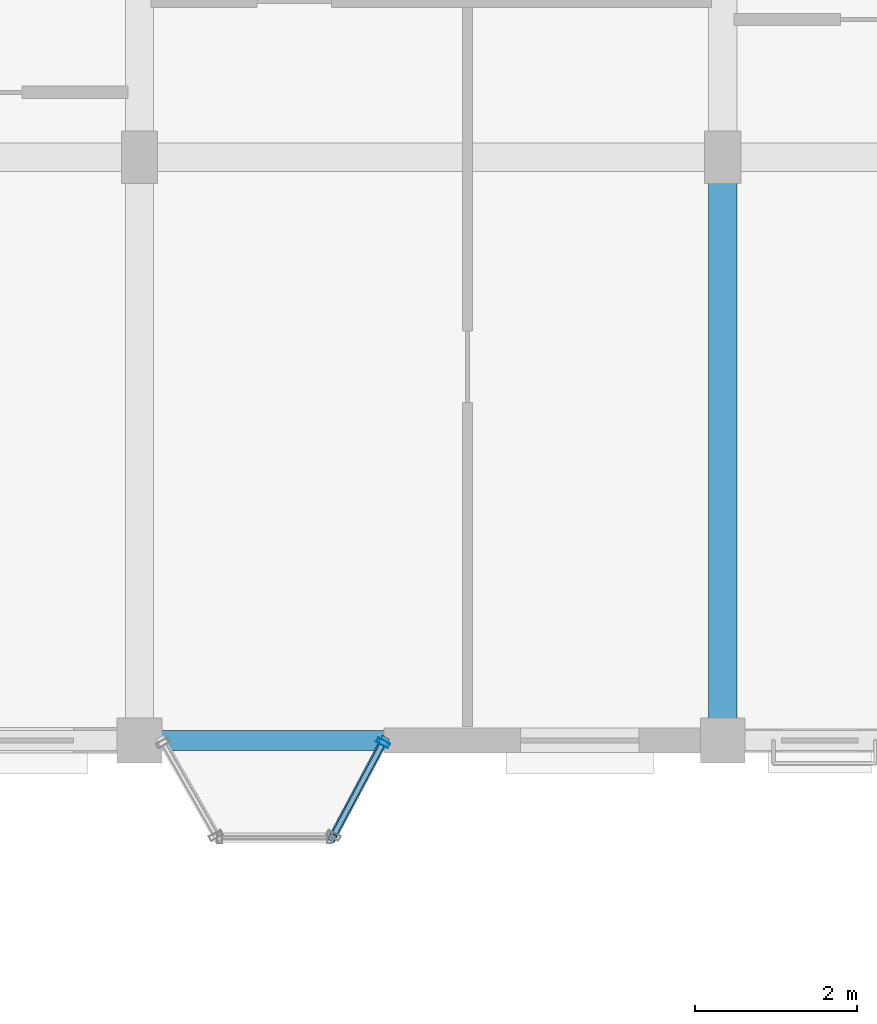
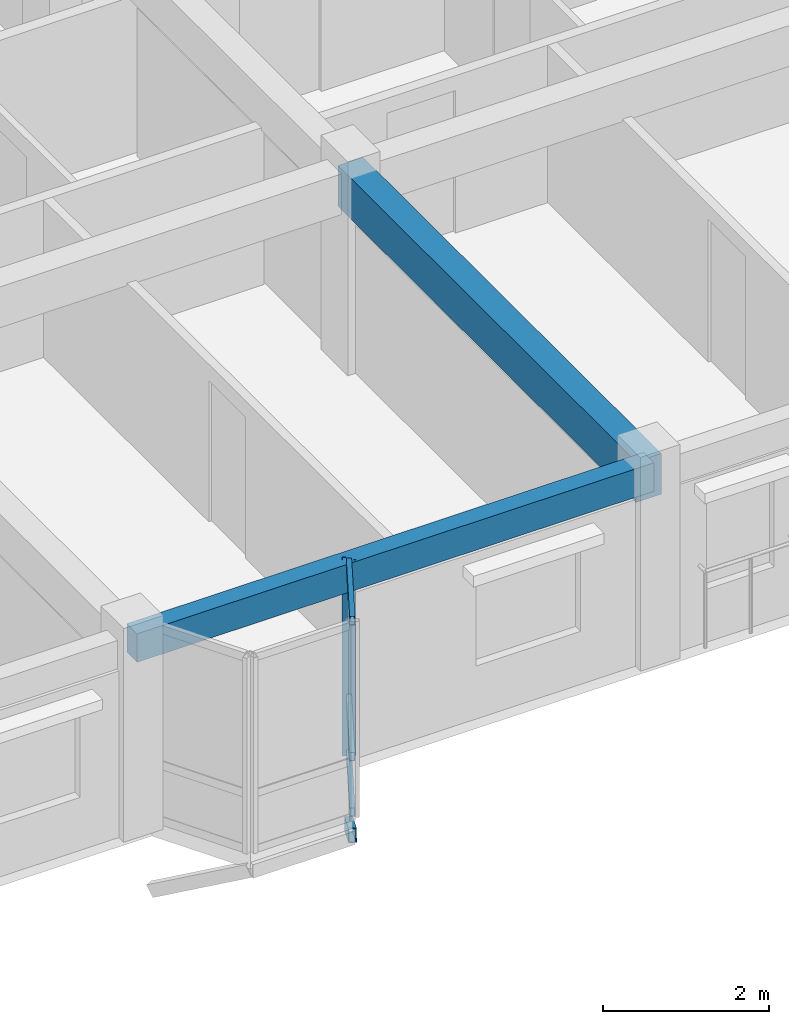
# One storey, part 34 of 75: 5 members, 2 beams, 1 element without a shape of its own.
"""IFC4 building model written with IfcOpenShell, lengths in metres."""

from ifc_helpers import new_model, si_unit, direction, frame, origin, origin_2d, place, context, subcontext, project, spatial, rectangle, hollow_rectangle, extrude, material, layer, layer_set, material_profile, profile_set, type_object, element, aggregate, save


model = new_model("IFC4")

# Units and contexts
model_context = context("Model", 3, precision=1e-05, world=origin(), true_north=direction((0.0, 1.0)))
body_context = subcontext(model_context, "Body", "Model", "MODEL_VIEW")
ifc_project = project(units=[si_unit("LENGTHUNIT", "METRE"), si_unit("AREAUNIT", "SQUARE_METRE"), si_unit("VOLUMEUNIT", "CUBIC_METRE"), si_unit("PLANEANGLEUNIT", "RADIAN"), si_unit("MASSUNIT", "GRAM", prefix="KILO"), si_unit("THERMODYNAMICTEMPERATUREUNIT", "KELVIN"), si_unit("POWERUNIT", "WATT")], contexts=[model_context])

# Site, building, storey
site_placement = place(None, origin())
site = spatial("IfcSite", under=ifc_project, at=site_placement, CompositionType="ELEMENT")
building_placement = place(site_placement, origin())
building = spatial("IfcBuilding", under=site, at=building_placement, Name="Tavuni Mirador Residences", CompositionType="ELEMENT")
storey_placement = place(building_placement, frame((0.0, 0.0, 20.25)))
storey = spatial("IfcBuildingStorey", under=building, at=storey_placement, Name="L06", CompositionType="ELEMENT", Elevation=20.25)

# Beams
ifc_material_1 = material(Name="Precast concrete C40/50", Category="concrete")
ifc_material_profile_1 = material_profile(ifc_material_1, rectangle(XDim=0.35009765625, YDim=0.60009765625, at=origin_2d()), Name="PC 350x600", Category="concrete")
ifc_profile_set_1 = profile_set([ifc_material_profile_1], Name="Precast concrete C40/50")
beam_type_1 = type_object("IfcBeamType", Name="BT-B600", PredefinedType="BEAM", material=ifc_profile_set_1)
beam_1_placement = place(storey_placement, frame((39.60009765625, 144.0, 2.5849609375), z_axis=(0.0, 1.0, 0.0), x_axis=(-1.0, 0.0, 0.0)))
element("IfcBeam", 1, at=beam_1_placement, inside=storey, type_object=beam_type_1, Name="BMY-BLK-C-L06-04-00", PredefinedType="BEAM", context=body_context, shape_type="SweptSolid", body=[
    extrude(rectangle(XDim=0.35009765625, YDim=0.60009765625, at=origin_2d()), origin(), (0.0, 0.0, 1.0), 7.199951171875),
])
ifc_material_profile_2 = material_profile(ifc_material_1, rectangle(XDim=0.25, YDim=0.419921875, at=origin_2d()), Name="PC 250x420", Category="concrete")
ifc_profile_set_2 = profile_set([ifc_material_profile_2], Name="Precast concrete C40/50")
beam_type_2 = type_object("IfcBeamType", Name="BT-SP420", PredefinedType="SPANDREL", material=ifc_profile_set_2)
beam_2_placement = place(storey_placement, frame((32.39990234375, 144.0, 2.675048828125), z_axis=(1.0, 0.0, 0.0), x_axis=(0.0, 1.0, 0.0)))
element("IfcBeam", 2, at=beam_2_placement, inside=storey, type_object=beam_type_2, Name="BMX-BLK-C-L06-03-00", PredefinedType="SPANDREL", context=body_context, shape_type="SweptSolid", body=[
    extrude(rectangle(XDim=0.25, YDim=0.419921875, at=origin_2d()), origin(), (0.0, 0.0, 1.0), 7.2001953125),
])

# Curtain wall, members
ifc_material_2 = material(Name="Anodised aluminium", Category="aluminium")
ifc_layer = layer(ifc_material_2, 0.14990234375, Name="Anodised aluminium", Category="aluminium")
ifc_layer_set = layer_set([ifc_layer], Name="Anodised aluminium")
curtain_wall_type = type_object("IfcCurtainWallType", Name="CWT-MIR-B", PredefinedType="NOTDEFINED", material=ifc_layer_set)
curtain_wall_placement = place(storey_placement, origin())
curtain_wall = element("IfcCurtainWall", 3, at=curtain_wall_placement, inside=storey, type_object=curtain_wall_type, Name="CW-MIR-C-S2-L06-M2", PredefinedType="NOTDEFINED")
ifc_material_profile_3 = material_profile(ifc_material_2, hollow_rectangle(XDim=0.06494140625, YDim=0.1650390625, WallThickness=0.00439453125, at=origin_2d()), Name="ALU 65x165x4.5", Category="aluminium")
ifc_profile_set_3 = profile_set([ifc_material_profile_3], Name="Anodised aluminium")
member_type_1 = type_object("IfcMemberType", Name="CWM-165", PredefinedType="MULLION", material=ifc_profile_set_3)
member_1_placement = place(storey_placement, frame((35.40478515625, 143.971435546875, 0.0), z_axis=(0.0, 0.0, 1.0), x_axis=(0.470588235296, 0.882352941175, 0.0)))
member_1 = element("IfcMember", 4, at=member_1_placement, type_object=member_type_1, Name="CW-02 mullion 2", PredefinedType="MULLION", context=body_context, shape_type="SweptSolid", body=[
    extrude(hollow_rectangle(XDim=0.06494140625, YDim=0.1650390625, WallThickness=0.00439453125, at=origin_2d()), origin(), (0.0, 0.0, 1.0), 2.885009765625),
])
ifc_material_profile_4 = material_profile(ifc_material_2, hollow_rectangle(XDim=0.06494140625, YDim=0.125, WallThickness=0.00439453125, at=origin_2d()), Name="ALU 65x125x4.5", Category="aluminium")
ifc_profile_set_4 = profile_set([ifc_material_profile_4], Name="Anodised aluminium")
member_type_2 = type_object("IfcMemberType", Name="CWT-125", PredefinedType="USERDEFINED", material=ifc_profile_set_4)
member_2_placement = place(storey_placement, frame((34.810546875, 142.857421875, 0.032470703125), z_axis=(0.470639747922, 0.882325465843, 0.0), x_axis=(-0.882325465843, 0.470639747922, 0.0)))
member_2 = element("IfcMember", 5, at=member_2_placement, type_object=member_type_2, Name="CW-02 transom 1.1", ObjectType="TRANSOM", PredefinedType="USERDEFINED", context=body_context, shape_type="SweptSolid", body=[
    extrude(hollow_rectangle(XDim=0.06494140625, YDim=0.125, WallThickness=0.00439453125, at=origin_2d()), origin(), (0.0, 0.0, 1.0), 1.22998046875),
])
member_3_placement = place(storey_placement, frame((34.810546875, 142.857421875, 0.85009765625), z_axis=(0.470639747922, 0.882325465843, 0.0), x_axis=(-0.882325465843, 0.470639747922, 0.0)))
member_3 = element("IfcMember", 6, at=member_3_placement, type_object=member_type_2, Name="CW-02 transom 1.2", ObjectType="TRANSOM", PredefinedType="USERDEFINED", context=body_context, shape_type="SweptSolid", body=[
    extrude(hollow_rectangle(XDim=0.06494140625, YDim=0.125, WallThickness=0.00439453125, at=origin_2d()), origin(), (0.0, 0.0, 1.0), 1.22998046875),
])
member_4_placement = place(storey_placement, frame((34.810546875, 142.857421875, 2.8525390625), z_axis=(0.470639747922, 0.882325465843, 0.0), x_axis=(-0.882325465843, 0.470639747922, 0.0)))
member_4 = element("IfcMember", 7, at=member_4_placement, type_object=member_type_2, Name="CW-02 transom 1.3", ObjectType="TRANSOM", PredefinedType="USERDEFINED", context=body_context, shape_type="SweptSolid", body=[
    extrude(hollow_rectangle(XDim=0.06494140625, YDim=0.125, WallThickness=0.00439453125, at=origin_2d()), origin(), (0.0, 0.0, 1.0), 1.22998046875),
])
aggregate(curtain_wall, [member_1, member_2, member_3, member_4])

# Member
ifc_material_3 = material(Name="Structural steel S355", Category="steel")
ifc_material_profile_5 = material_profile(ifc_material_3, hollow_rectangle(XDim=0.10009765625, YDim=0.179931640625, WallThickness=0.008056640625, at=origin_2d()), Name="RHS 180x100x8.0", Category="steel")
ifc_profile_set_5 = profile_set([ifc_material_profile_5], Name="Structural steel S355")
member_type_3 = type_object("IfcMemberType", Name="MT-BR-RHS180", PredefinedType="BRACE", material=ifc_profile_set_5)
member_5_placement = place(storey_placement, frame((35.419921875, 144.0, -1.050048828125), z_axis=(-0.407499208462, -0.764158187558, 0.500006659448), x_axis=(0.882377788047, -0.47054164445, 0.0)))
element("IfcMember", 8, at=member_5_placement, inside=storey, type_object=member_type_3, Name="MBRK-MIR-C-S2-L06-2", PredefinedType="BRACE", context=body_context, shape_type="SweptSolid", body=[
    extrude(hollow_rectangle(XDim=0.10009765625, YDim=0.179931640625, WallThickness=0.008056640625, at=origin_2d()), origin(), (0.0, 0.0, 1.0), 1.5703125),
])

save(model, "model.ifc")
